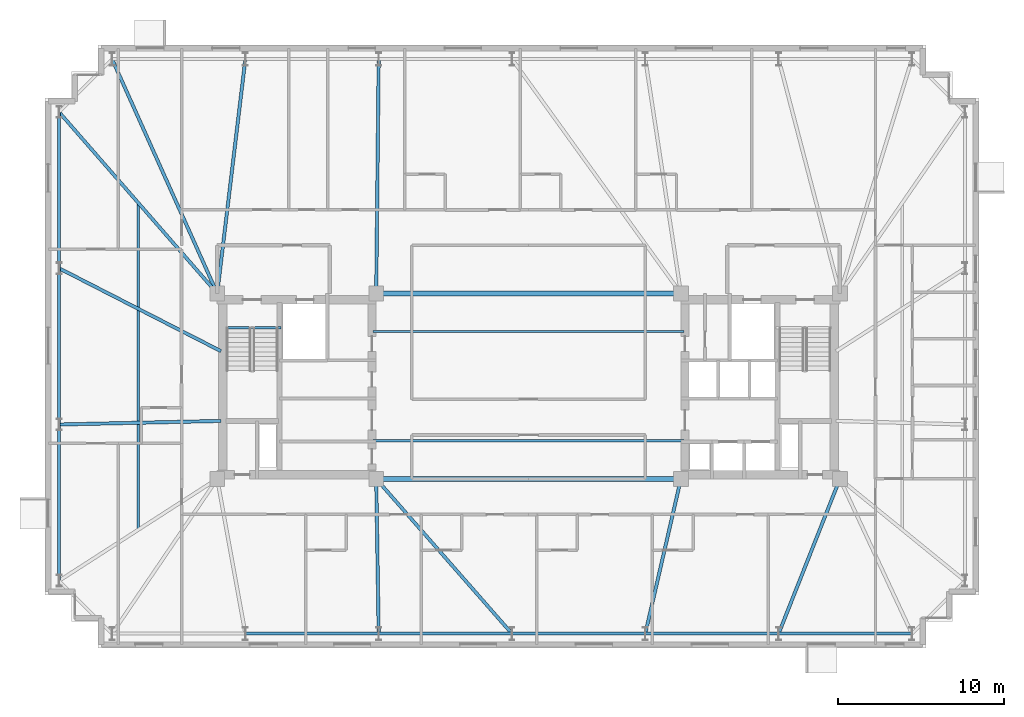
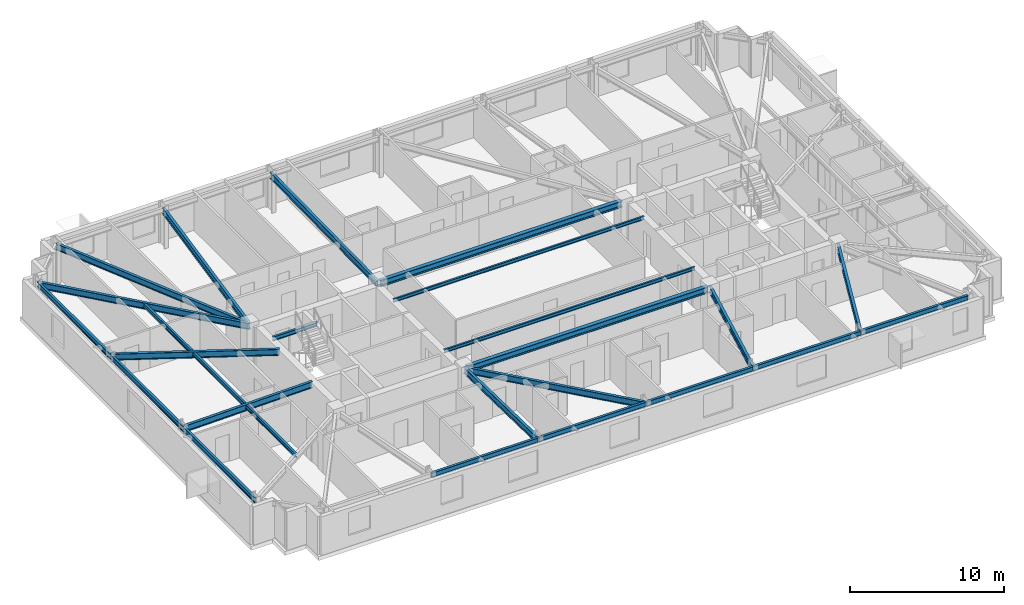
# One storey, part 4 of 17: 24 beams.
"""IFC4 building model written with IfcOpenShell, lengths in metres."""

import ifcopenshell
import ifcopenshell.guid

model = None  # the IFC model being written
_history = None  # IfcOwnerHistory: only IFC2X3 demands one
_inside = {}  # id of a spatial element -> (the spatial element, [elements in it])
_under = {}  # id of a project, library or spatial element -> (it, [spatial elements below it])
_declared = {}  # id of a project -> (the project, [libraries it declares])
_typed = {}  # id of a type object -> (the type object, [elements of that type])
_made_of = {}  # id of a material, layer set ... -> (it, [elements and type objects made of it])


def new_model(schema):
    """Start an empty IFC model of exactly this schema.

    Asked for "IFC4X3", IfcOpenShell would pick the latest addendum, in which some entities
    have other attributes; the version numbers below select the first issue.
    IFC2X3 requires an IfcOwnerHistory on every rooted entity: one is made here for all.
    """
    global model, _history
    if schema == "IFC4X3":
        model = ifcopenshell.file(schema_version=(4, 3, 0, 0))
    else:
        model = ifcopenshell.file(schema=schema)
    _inside.clear()
    _under.clear()
    _declared.clear()
    _typed.clear()
    _made_of.clear()
    _history = None
    if model.schema == "IFC2X3":
        org = make("IfcOrganization", Name="unknown")
        user = make(
            "IfcPersonAndOrganization",
            ThePerson=make("IfcPerson", FamilyName="unknown"),
            TheOrganization=org,
        )
        app = make(
            "IfcApplication",
            ApplicationDeveloper=org,
            Version="unknown",
            ApplicationFullName="unknown",
            ApplicationIdentifier="unknown",
        )
        _history = make(
            "IfcOwnerHistory",
            OwningUser=user,
            OwningApplication=app,
            ChangeAction="ADDED",
            CreationDate=0,
        )
    return model


def make(cls, **values):
    """One entity of the class cls with the attributes given. An attribute that is None is left unset."""
    return model.create_entity(
        cls, **{name: value for name, value in values.items() if value is not None}
    )


def rooted(cls, **values):
    """An entity with a GlobalId (a new one), such as an element, a storey or a relation."""
    return make(cls, GlobalId=ifcopenshell.guid.new(), OwnerHistory=_history, **values)


def si_unit(unit_type, name, prefix=None):
    """IfcSIUnit, for example si_unit("LENGTHUNIT", "METRE", prefix="MILLI")."""
    return make("IfcSIUnit", UnitType=unit_type, Prefix=prefix, Name=name)


def assignment(units):
    """IfcUnitAssignment: the units of a project."""
    return None if units is None else make("IfcUnitAssignment", Units=units)


def point(xyz):
    """IfcCartesianPoint."""
    return None if xyz is None else make("IfcCartesianPoint", Coordinates=xyz)


def direction(xyz):
    """IfcDirection."""
    return None if xyz is None else make("IfcDirection", DirectionRatios=xyz)


def frame(location, z_axis=None, x_axis=None):
    """IfcAxis2Placement3D, a coordinate frame: its origin and axes. An axis left out is left unset."""
    return make(
        "IfcAxis2Placement3D",
        Location=point(location),
        Axis=direction(z_axis),
        RefDirection=direction(x_axis),
    )


def frame_2d(location, x_axis=None):
    """IfcAxis2Placement2D, a coordinate frame in the plane: its origin and x axis."""
    return make(
        "IfcAxis2Placement2D", Location=point(location), RefDirection=direction(x_axis)
    )


def origin():
    """The frame at (0, 0, 0) with its axes left unset."""
    return frame((0.0, 0.0, 0.0))


def origin_2d():
    """The frame at (0, 0) in the plane with its x axis left unset."""
    return frame_2d((0.0, 0.0))


def place(relative_to, where):
    """IfcLocalPlacement: puts the frame where relative to a parent placement (None: the world)."""
    return make(
        "IfcLocalPlacement", PlacementRelTo=relative_to, RelativePlacement=where
    )


def context(
    kind, dimensions, precision=None, world=None, true_north=None, identifier=None
):
    """IfcGeometricRepresentationContext, for example the 3D "Model" context."""
    return make(
        "IfcGeometricRepresentationContext",
        ContextIdentifier=identifier,
        ContextType=kind,
        CoordinateSpaceDimension=dimensions,
        Precision=precision,
        WorldCoordinateSystem=world,
        TrueNorth=true_north,
    )


def subcontext(parent, identifier, kind, view, scale=None):
    """IfcGeometricRepresentationSubContext, for example "Body" below "Model"."""
    return make(
        "IfcGeometricRepresentationSubContext",
        ContextIdentifier=identifier,
        ContextType=kind,
        ParentContext=parent,
        TargetScale=scale,
        TargetView=view,
    )


def project(units=None, contexts=None):
    """IfcProject with its units and contexts."""
    return rooted(
        "IfcProject",
        Name="project",
        RepresentationContexts=contexts,
        UnitsInContext=assignment(units),
    )


def spatial(cls, under=None, at=None, **own):
    """A site, building, storey or space (cls), placed at a placement, below another one or the project."""
    s = rooted(cls, ObjectPlacement=at, **own)
    if under is not None:
        _under.setdefault(under.id(), (under, []))[1].append(s)
    return s


def profile(cls, at=None, kind="AREA", **sizes):
    """A parametric profile (cls). Its sizes go by their IFC names, for example OverallWidth=200.0."""
    return make(cls, ProfileType=kind, Position=at, **sizes)


def i_section(**sizes):
    """IfcIShapeProfileDef."""
    return profile("IfcIShapeProfileDef", **sizes)


def extrude(swept, where, along, depth):
    """IfcExtrudedAreaSolid: the profile swept, set in the frame where, extruded along a direction by depth."""
    return make(
        "IfcExtrudedAreaSolid",
        SweptArea=swept,
        Position=where,
        ExtrudedDirection=direction(along),
        Depth=depth,
    )


def shape(context_of_items, identifier, shape_type, items):
    """IfcShapeRepresentation: the items that make up one representation, for example the "Body"."""
    return make(
        "IfcShapeRepresentation",
        ContextOfItems=context_of_items,
        RepresentationIdentifier=identifier,
        RepresentationType=shape_type,
        Items=items,
    )


def material(Name=None, Category=None):
    """IfcMaterial."""
    return make("IfcMaterial", Name=Name, Category=Category)


def material_profile(
    of_material, cross_section, Name=None, Category=None, Priority=None
):
    """IfcMaterialProfile: a cross section and its material."""
    return make(
        "IfcMaterialProfile",
        Name=Name,
        Material=of_material,
        Profile=cross_section,
        Priority=Priority,
        Category=Category,
    )


def profile_set(profiles, Name=None, composite=None):
    """IfcMaterialProfileSet."""
    return make(
        "IfcMaterialProfileSet",
        Name=Name,
        MaterialProfiles=profiles,
        CompositeProfile=composite,
    )


def made_of(thing, what):
    """Note that an element or type object is made of a material, layer set ...; save() writes the relation."""
    if what is not None:
        _made_of.setdefault(what.id(), (what, []))[1].append(thing)
    return thing


def type_object(cls, material=None, **own):
    """A type object (cls), such as IfcWallType, which elements share."""
    return made_of(rooted(cls, **own), material)


def element(
    cls,
    number,
    at=None,
    inside=None,
    cuts=None,
    type_object=None,
    material=None,
    context=None,
    identifier="Body",
    shape_type=None,
    held_by="IfcProductDefinitionShape",
    body=None,
    shapes=None,
    **own,
):
    """One element of the class cls, such as IfcWall. Its Tag is "e" and its number.

    at: its placement. inside: the storey or other place that contains it. cuts: it is an
    opening in that element (IfcRelVoidsElement). A single representation is given by context,
    identifier, shape_type and body (its items); several are given by shapes. held_by: the class
    of the entity that holds the representations. save() writes the other relations.
    """
    e = rooted(cls, Tag="e%d" % number, ObjectPlacement=at, **own)
    if body is not None:
        shapes = [shape(context, identifier, shape_type, body)]
    if shapes is not None:
        e.Representation = make(held_by, Representations=shapes)
    if inside is not None:
        _inside.setdefault(inside.id(), (inside, []))[1].append(e)
    if cuts is not None:
        rooted(
            "IfcRelVoidsElement", RelatingBuildingElement=cuts, RelatedOpeningElement=e
        )
    if type_object is not None:
        _typed.setdefault(type_object.id(), (type_object, []))[1].append(e)
    return made_of(e, material)


def aggregate(whole, parts):
    """IfcRelAggregates: a whole, such as a stair, and the parts it consists of."""
    return rooted("IfcRelAggregates", RelatingObject=whole, RelatedObjects=parts)


def save(model, path):
    """Write the relations noted so far, then the file.

    IfcRelAggregates (storeys below a building ...), IfcRelContainedInSpatialStructure (elements
    in a storey), IfcRelDefinesByType, IfcRelAssociatesMaterial and IfcRelDeclares: one each for
    every whole, place, type object, material and project.
    """
    for whole, parts in _under.values():
        aggregate(whole, parts)
    for where, things in _inside.values():
        rooted(
            "IfcRelContainedInSpatialStructure",
            RelatedElements=things,
            RelatingStructure=where,
        )
    for kind, things in _typed.values():
        rooted("IfcRelDefinesByType", RelatedObjects=things, RelatingType=kind)
    for what, things in _made_of.values():
        rooted("IfcRelAssociatesMaterial", RelatedObjects=things, RelatingMaterial=what)
    for by, libraries in _declared.values():
        rooted("IfcRelDeclares", RelatingContext=by, RelatedDefinitions=libraries)
    model.write(path)


model = new_model("IFC4")

# Units and contexts
model_context = context("Model", 3, precision=1e-05, world=origin(), true_north=direction((0.0, 1.0)))
body_context = subcontext(model_context, "Body", "Model", "MODEL_VIEW")
ifc_project = project(units=[si_unit("LENGTHUNIT", "METRE"), si_unit("AREAUNIT", "SQUARE_METRE"), si_unit("VOLUMEUNIT", "CUBIC_METRE"), si_unit("PLANEANGLEUNIT", "RADIAN"), si_unit("MASSUNIT", "GRAM", prefix="KILO")], contexts=[model_context])

# Site, building, storey
site_placement = place(None, origin())
site = spatial("IfcSite", under=ifc_project, at=site_placement, CompositionType="ELEMENT")
building_placement = place(site_placement, origin())
building = spatial("IfcBuilding", under=site, at=building_placement, Name="Qobustan Lattice House", CompositionType="ELEMENT")
storey_placement = place(building_placement, frame((0.0, 0.0, 161.14990234375)))
storey = spatial("IfcBuildingStorey", under=building, at=storey_placement, Name="L45", CompositionType="ELEMENT", Elevation=161.14990234375)

# Beams
ifc_material_1 = material(Name="Steel S355", Category="steel")
ifc_material_profile_1 = material_profile(ifc_material_1, i_section(OverallWidth=0.300048828125, OverallDepth=0.5, WebThickness=0.014404296875, FlangeThickness=0.028076171875, FilletRadius=0.027099609375, at=origin_2d()), Name="HEB500")
ifc_profile_set_1 = profile_set([ifc_material_profile_1], Name="Steel S355")
beam_type_1 = type_object("IfcBeamType", Name="BM-CG-HEB500", PredefinedType="USERDEFINED", material=ifc_profile_set_1)
for number, where, z_axis, x_axis, name in (
    (1, (-9.050048828125, -5.60009765625, 2.7900390625), (1.0, 0.0, 0.0), (0.0, 1.0, 0.0), "L45 core spine girder CG-CS"),
    (2, (-9.050048828125, 5.60009765625, 2.7900390625), (1.0, 0.0, 0.0), (0.0, 1.0, 0.0), "L45 core spine girder CG-CN"),
):
    element("IfcBeam", number, at=place(storey_placement, frame(where, z_axis=z_axis, x_axis=x_axis)), inside=storey, type_object=beam_type_1, Name=name, ObjectType="GIRDER", PredefinedType="USERDEFINED", context=body_context, shape_type="SweptSolid", body=[
        extrude(i_section(OverallWidth=0.300048828125, OverallDepth=0.5, WebThickness=0.014404296875, FlangeThickness=0.028076171875, FilletRadius=0.027099609375, at=origin_2d()), origin(), (0.0, 0.0, 1.0), 18.10009765625),
    ])
ifc_material_2 = material(Name="Steel S355", Category="steel")
ifc_material_profile_2 = material_profile(ifc_material_2, i_section(OverallWidth=0.199951171875, OverallDepth=0.5, WebThickness=0.01025390625, FlangeThickness=0.01611328125, FilletRadius=0.02099609375, at=origin_2d()), Name="IPE500")
ifc_profile_set_2 = profile_set([ifc_material_profile_2], Name="Steel S355")
beam_type_2 = type_object("IfcBeamType", Name="BM-FLG-IPE500", PredefinedType="USERDEFINED", material=ifc_profile_set_2)
beam_1_placement = place(storey_placement, frame((-9.05029296875, -14.925048828125, 2.7900390625), z_axis=(-0.016063870849, 0.999870967702, 0.0), x_axis=(-0.999870967702, -0.016063870849, 0.0)))
element("IfcBeam", 3, at=beam_1_placement, inside=storey, type_object=beam_type_2, Name="L45 primary floor girder RAD-S3", ObjectType="GIRDER", PredefinedType="USERDEFINED", context=body_context, shape_type="SweptSolid", body=[
    extrude(i_section(OverallWidth=0.199951171875, OverallDepth=0.5, WebThickness=0.01025390625, FlangeThickness=0.01611328125, FilletRadius=0.02099609375, at=origin_2d()), origin(), (0.0, 0.0, 1.0), 9.30126953125),
])
beam_2_placement = place(storey_placement, frame((-1.0166015625, -14.93115234375, 2.7900390625), z_axis=(-0.659362380156, 0.751825279992, 0.0), x_axis=(-0.751825279992, -0.659362380156, 0.0)))
element("IfcBeam", 4, at=beam_2_placement, inside=storey, type_object=beam_type_2, Name="L45 primary floor girder RAD-S4", ObjectType="GIRDER", PredefinedType="USERDEFINED", context=body_context, shape_type="SweptSolid", body=[
    extrude(i_section(OverallWidth=0.199951171875, OverallDepth=0.5, WebThickness=0.01025390625, FlangeThickness=0.01611328125, FilletRadius=0.02099609375, at=origin_2d()), origin(), (0.0, 0.0, 1.0), 12.38623046875),
])
beam_3_placement = place(storey_placement, frame((7.0556640625, -14.925537109375, 2.7900390625), z_axis=(0.224091568854, 0.974568093449, 0.0), x_axis=(-0.974568093449, 0.224091568854, 0.0)))
element("IfcBeam", 5, at=beam_3_placement, inside=storey, type_object=beam_type_2, Name="L45 primary floor girder RAD-S5", ObjectType="GIRDER", PredefinedType="USERDEFINED", context=body_context, shape_type="SweptSolid", body=[
    extrude(i_section(OverallWidth=0.199951171875, OverallDepth=0.5, WebThickness=0.01025390625, FlangeThickness=0.01611328125, FilletRadius=0.02099609375, at=origin_2d()), origin(), (0.0, 0.0, 1.0), 9.543701171875),
])
beam_4_placement = place(storey_placement, frame((15.109130859375, -14.9267578125, 2.7900390625), z_axis=(0.367963628184, 0.929840184297, 0.0), x_axis=(-0.929840184297, 0.367963628184, 0.0)))
element("IfcBeam", 6, at=beam_4_placement, inside=storey, type_object=beam_type_2, Name="L45 primary floor girder RAD-S6", ObjectType="GIRDER", PredefinedType="USERDEFINED", context=body_context, shape_type="SweptSolid", body=[
    extrude(i_section(OverallWidth=0.199951171875, OverallDepth=0.5, WebThickness=0.01025390625, FlangeThickness=0.01611328125, FilletRadius=0.02099609375, at=origin_2d()), origin(), (0.0, 0.0, 1.0), 10.00537109375),
])
beam_5_placement = place(storey_placement, frame((-25.139892578125, 19.727294921875, 2.7900390625), z_axis=(0.409426782108, -0.912342978321, 0.0), x_axis=(0.912342978321, 0.409426782108, 0.0)))
element("IfcBeam", 7, at=beam_5_placement, inside=storey, type_object=beam_type_2, Name="L45 primary floor girder RAD-N7W", ObjectType="GIRDER", PredefinedType="USERDEFINED", context=body_context, shape_type="SweptSolid", body=[
    extrude(i_section(OverallWidth=0.199951171875, OverallDepth=0.5, WebThickness=0.01025390625, FlangeThickness=0.01611328125, FilletRadius=0.02099609375, at=origin_2d()), origin(), (0.0, 0.0, 1.0), 15.459716796875),
])
beam_6_placement = place(storey_placement, frame((-17.10302734375, 19.72509765625, 2.7900390625), z_axis=(-0.119287572963, -0.992859745854, 0.0), x_axis=(0.992859745854, -0.119287572963, 0.0)))
element("IfcBeam", 8, at=beam_6_placement, inside=storey, type_object=beam_type_2, Name="L45 primary floor girder RAD-N6", ObjectType="GIRDER", PredefinedType="USERDEFINED", context=body_context, shape_type="SweptSolid", body=[
    extrude(i_section(OverallWidth=0.199951171875, OverallDepth=0.5, WebThickness=0.01025390625, FlangeThickness=0.01611328125, FilletRadius=0.02099609375, at=origin_2d()), origin(), (0.0, 0.0, 1.0), 14.20166015625),
])
beam_7_placement = place(storey_placement, frame((-9.05029296875, 19.72509765625, 2.7900390625), z_axis=(-0.010596073732, -0.999943860035, 0.0), x_axis=(0.999943860035, -0.010596073732, 0.0)))
element("IfcBeam", 9, at=beam_7_placement, inside=storey, type_object=beam_type_2, Name="L45 primary floor girder RAD-N5", ObjectType="GIRDER", PredefinedType="USERDEFINED", context=body_context, shape_type="SweptSolid", body=[
    extrude(i_section(OverallWidth=0.199951171875, OverallDepth=0.5, WebThickness=0.01025390625, FlangeThickness=0.01611328125, FilletRadius=0.02099609375, at=origin_2d()), origin(), (0.0, 0.0, 1.0), 14.100830078125),
])
beam_8_placement = place(storey_placement, frame((-28.33349609375, 16.53125, 2.7900390625), z_axis=(0.657282573618, -0.75364422536, 0.0), x_axis=(0.75364422536, 0.657282573618, 0.0)))
element("IfcBeam", 10, at=beam_8_placement, inside=storey, type_object=beam_type_2, Name="L45 primary floor girder RAD-W1", ObjectType="GIRDER", PredefinedType="USERDEFINED", context=body_context, shape_type="SweptSolid", body=[
    extrude(i_section(OverallWidth=0.199951171875, OverallDepth=0.5, WebThickness=0.01025390625, FlangeThickness=0.01611328125, FilletRadius=0.02099609375, at=origin_2d()), origin(), (0.0, 0.0, 1.0), 14.4794921875),
])
beam_9_placement = place(storey_placement, frame((-28.32763671875, 7.105224609375, 2.7900390625), z_axis=(0.89014541584, -0.455676572426, 0.0), x_axis=(0.455676572426, 0.89014541584, 0.0)))
element("IfcBeam", 11, at=beam_9_placement, inside=storey, type_object=beam_type_2, Name="L45 primary floor girder RAD-W2", ObjectType="GIRDER", PredefinedType="USERDEFINED", context=body_context, shape_type="SweptSolid", body=[
    extrude(i_section(OverallWidth=0.199951171875, OverallDepth=0.5, WebThickness=0.01025390625, FlangeThickness=0.01611328125, FilletRadius=0.02099609375, at=origin_2d()), origin(), (0.0, 0.0, 1.0), 10.959228515625),
])
beam_10_placement = place(storey_placement, frame((-28.324951171875, -2.316162109375, 2.7900390625), z_axis=(0.999755655209, 0.022104974047, 0.0), x_axis=(-0.022104974047, 0.999755655209, 0.0)))
element("IfcBeam", 12, at=beam_10_placement, inside=storey, type_object=beam_type_2, Name="L45 primary floor girder RAD-W3", ObjectType="GIRDER", PredefinedType="USERDEFINED", context=body_context, shape_type="SweptSolid", body=[
    extrude(i_section(OverallWidth=0.199951171875, OverallDepth=0.5, WebThickness=0.01025390625, FlangeThickness=0.01611328125, FilletRadius=0.02099609375, at=origin_2d()), origin(), (0.0, 0.0, 1.0), 9.75244140625),
])
ifc_material_3 = material(Name="Steel S355", Category="steel")
ifc_material_profile_3 = material_profile(ifc_material_3, i_section(OverallWidth=0.135009765625, OverallDepth=0.27001953125, WebThickness=0.006591796875, FlangeThickness=0.01025390625, FilletRadius=0.014892578125, at=origin_2d()), Name="IPE270")
ifc_profile_set_3 = profile_set([ifc_material_profile_3], Name="Steel S355")
beam_type_3 = type_object("IfcBeamType", Name="BM-JST-IPE270", PredefinedType="JOIST", material=ifc_profile_set_3)
for number, where, z_axis, x_axis, name in (
    (13, (-9.39990234375, -3.300048828125, 2.905029296875), (1.0, 0.0, 0.0), (0.0, 1.0, 0.0), "L45 central span floor joist 1"),
    (14, (-9.39990234375, 3.300048828125, 2.905029296875), (1.0, 0.0, 0.0), (0.0, 1.0, 0.0), "L45 central span floor joist 2"),
):
    element("IfcBeam", number, at=place(storey_placement, frame(where, z_axis=z_axis, x_axis=x_axis)), inside=storey, type_object=beam_type_3, Name=name, PredefinedType="JOIST", context=body_context, shape_type="SweptSolid", body=[
        extrude(i_section(OverallWidth=0.135009765625, OverallDepth=0.27001953125, WebThickness=0.006591796875, FlangeThickness=0.01025390625, FilletRadius=0.014892578125, at=origin_2d()), origin(), (0.0, 0.0, 1.0), 18.7998046875),
    ])
ifc_material_4 = material(Name="Steel S355", Category="steel")
ifc_material_profile_4 = material_profile(ifc_material_4, i_section(OverallWidth=0.159912109375, OverallDepth=0.330078125, WebThickness=0.007568359375, FlangeThickness=0.011474609375, FilletRadius=0.01806640625, at=origin_2d()), Name="IPE330")
ifc_profile_set_4 = profile_set([ifc_material_profile_4], Name="Steel S355")
beam_type_4 = type_object("IfcBeamType", Name="BM-SEC-IPE330", PredefinedType="BEAM", material=ifc_profile_set_4)
beam_11_placement = place(storey_placement, frame((-23.574951171875, 11.074951171875, 2.875), z_axis=(0.0, -1.0, 0.0), x_axis=(1.0, 0.0, 0.0)))
element("IfcBeam", 15, at=beam_11_placement, inside=storey, type_object=beam_type_4, Name="L45 west wing secondary beam", PredefinedType="BEAM", context=body_context, shape_type="SweptSolid", body=[
    extrude(i_section(OverallWidth=0.159912109375, OverallDepth=0.330078125, WebThickness=0.007568359375, FlangeThickness=0.011474609375, FilletRadius=0.01806640625, at=origin_2d()), origin(), (0.0, 0.0, 1.0), 19.75),
])
ifc_material_5 = material(Name="Steel S355", Category="steel")
ifc_material_profile_5 = material_profile(ifc_material_5, i_section(OverallWidth=0.159912109375, OverallDepth=0.330078125, WebThickness=0.007568359375, FlangeThickness=0.011474609375, FilletRadius=0.01806640625, at=origin_2d()), Name="IPE330")
ifc_profile_set_5 = profile_set([ifc_material_profile_5], Name="Steel S355")
beam_type_5 = type_object("IfcBeamType", Name="BM-SPD-IPE330", PredefinedType="SPANDREL", material=ifc_profile_set_5)
beam_12_placement = place(storey_placement, frame((-18.300048828125, 3.52001953125, 2.875), z_axis=(1.0, 0.0, 0.0), x_axis=(0.0, 1.0, 0.0)))
element("IfcBeam", 16, at=beam_12_placement, inside=storey, type_object=beam_type_5, Name="L45 west stair landing trimmer beam", PredefinedType="SPANDREL", context=body_context, shape_type="SweptSolid", body=[
    extrude(i_section(OverallWidth=0.159912109375, OverallDepth=0.330078125, WebThickness=0.007568359375, FlangeThickness=0.011474609375, FilletRadius=0.01806640625, at=origin_2d()), origin(), (0.0, 0.0, 1.0), 3.35009765625),
])
ifc_material_6 = material(Name="Steel S355", Category="steel")
ifc_material_profile_6 = material_profile(ifc_material_6, i_section(OverallWidth=0.179931640625, OverallDepth=0.39990234375, WebThickness=0.008544921875, FlangeThickness=0.013427734375, FilletRadius=0.02099609375, at=origin_2d()), Name="IPE400")
ifc_profile_set_6 = profile_set([ifc_material_profile_6], Name="Steel S355")
beam_type_6 = type_object("IfcBeamType", Name="BM-SPD-IPE400", PredefinedType="SPANDREL", material=ifc_profile_set_6)
for number, where, z_axis, x_axis, name in (
    (17, (-17.074951171875, -14.949951171875, 2.840087890625), (1.0, 0.0, 0.0), (0.0, 1.0, 0.0), "L45 perimeter spandrel S2-S3"),
    (18, (-9.02490234375, -14.949951171875, 2.840087890625), (1.0, 0.0, 0.0), (0.0, 1.0, 0.0), "L45 perimeter spandrel S3-S4"),
    (19, (-0.97509765625, -14.949951171875, 2.840087890625), (1.0, 0.0, 0.0), (0.0, 1.0, 0.0), "L45 perimeter spandrel S4-S5"),
    (20, (7.074951171875, -14.949951171875, 2.840087890625), (1.0, 0.0, 0.0), (0.0, 1.0, 0.0), "L45 perimeter spandrel S5-S6"),
    (21, (15.125, -14.949951171875, 2.840087890625), (1.0, 0.0, 0.0), (0.0, 1.0, 0.0), "L45 perimeter spandrel S6-S7"),
):
    element("IfcBeam", number, at=place(storey_placement, frame(where, z_axis=z_axis, x_axis=x_axis)), inside=storey, type_object=beam_type_6, Name=name, PredefinedType="SPANDREL", context=body_context, shape_type="SweptSolid", body=[
        extrude(i_section(OverallWidth=0.179931640625, OverallDepth=0.39990234375, WebThickness=0.008544921875, FlangeThickness=0.013427734375, FilletRadius=0.02099609375, at=origin_2d()), origin(), (0.0, 0.0, 1.0), 8.0),
    ])
beam_13_placement = place(storey_placement, frame((-28.35009765625, 16.52490234375, 2.840087890625), z_axis=(0.0, -1.0, 0.0), x_axis=(1.0, 0.0, 0.0)))
element("IfcBeam", 22, at=beam_13_placement, inside=storey, type_object=beam_type_6, Name="L45 perimeter spandrel W1-W2", PredefinedType="SPANDREL", context=body_context, shape_type="SweptSolid", body=[
    extrude(i_section(OverallWidth=0.179931640625, OverallDepth=0.39990234375, WebThickness=0.008544921875, FlangeThickness=0.013427734375, FilletRadius=0.02099609375, at=origin_2d()), origin(), (0.0, 0.0, 1.0), 9.38330078125),
])
beam_14_placement = place(storey_placement, frame((-28.35009765625, 7.091796875, 2.840087890625), z_axis=(0.0, -1.0, 0.0), x_axis=(1.0, 0.0, 0.0)))
element("IfcBeam", 23, at=beam_14_placement, inside=storey, type_object=beam_type_6, Name="L45 perimeter spandrel W2-W3", PredefinedType="SPANDREL", context=body_context, shape_type="SweptSolid", body=[
    extrude(i_section(OverallWidth=0.179931640625, OverallDepth=0.39990234375, WebThickness=0.008544921875, FlangeThickness=0.013427734375, FilletRadius=0.02099609375, at=origin_2d()), origin(), (0.0, 0.0, 1.0), 9.383544921875),
])
beam_15_placement = place(storey_placement, frame((-28.35009765625, -2.341796875, 2.840087890625), z_axis=(0.0, -1.0, 0.0), x_axis=(1.0, 0.0, 0.0)))
element("IfcBeam", 24, at=beam_15_placement, inside=storey, type_object=beam_type_6, Name="L45 perimeter spandrel W3-W4", PredefinedType="SPANDREL", context=body_context, shape_type="SweptSolid", body=[
    extrude(i_section(OverallWidth=0.179931640625, OverallDepth=0.39990234375, WebThickness=0.008544921875, FlangeThickness=0.013427734375, FilletRadius=0.02099609375, at=origin_2d()), origin(), (0.0, 0.0, 1.0), 9.38330078125),
])

save(model, "model.ifc")
